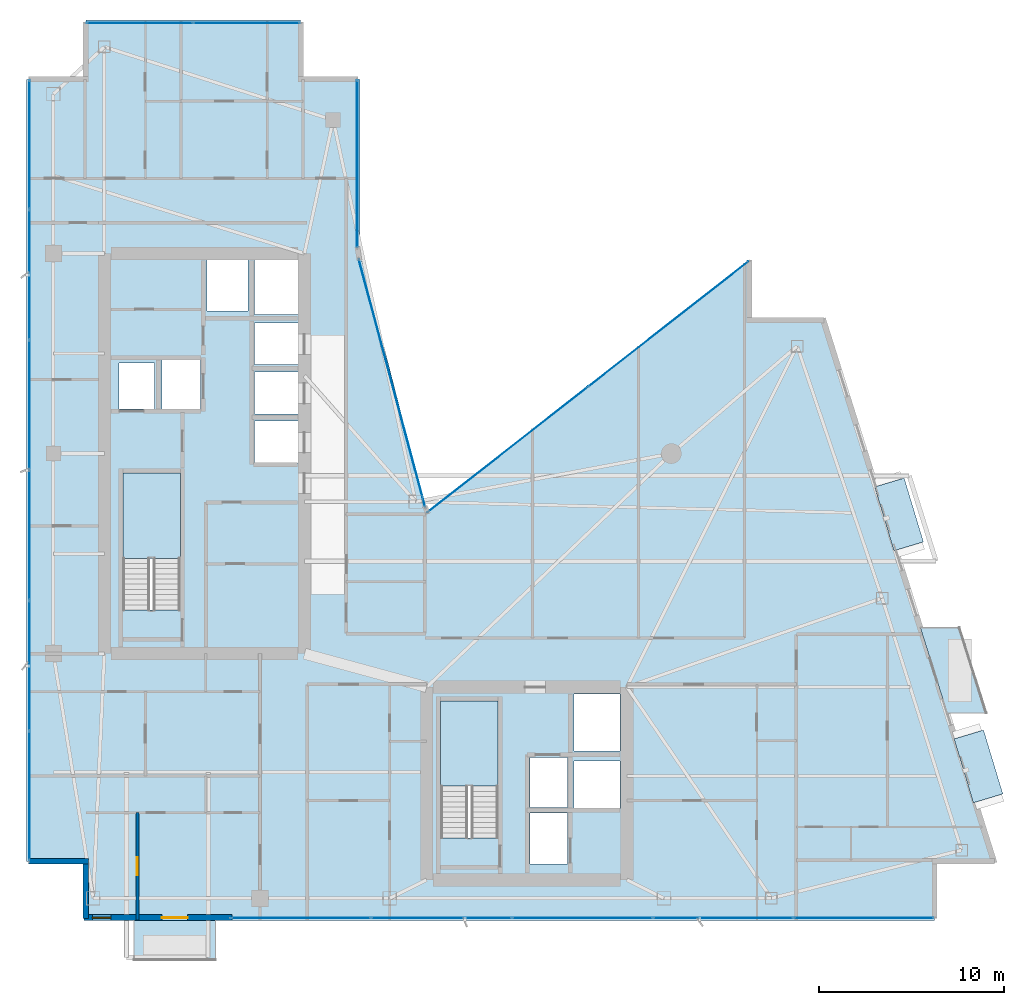
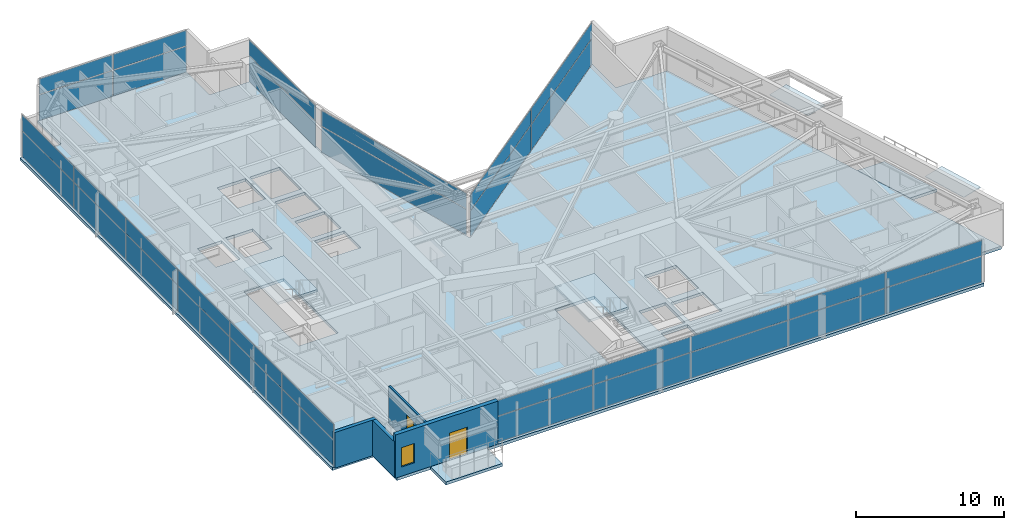
# One storey, part 23 of 30: 36 plates, 5 slabs, 4 walls, 2 doors, 1 window, 3 openings, 8 elements without a shape of their own.
"""IFC4 building model written with IfcOpenShell, lengths in metres."""

import ifcopenshell
import ifcopenshell.guid

model = None  # the IFC model being written
_history = None  # IfcOwnerHistory: only IFC2X3 demands one
_inside = {}  # id of a spatial element -> (the spatial element, [elements in it])
_under = {}  # id of a project, library or spatial element -> (it, [spatial elements below it])
_declared = {}  # id of a project -> (the project, [libraries it declares])
_typed = {}  # id of a type object -> (the type object, [elements of that type])
_made_of = {}  # id of a material, layer set ... -> (it, [elements and type objects made of it])


def new_model(schema):
    """Start an empty IFC model of exactly this schema.

    Asked for "IFC4X3", IfcOpenShell would pick the latest addendum, in which some entities
    have other attributes; the version numbers below select the first issue.
    IFC2X3 requires an IfcOwnerHistory on every rooted entity: one is made here for all.
    """
    global model, _history
    if schema == "IFC4X3":
        model = ifcopenshell.file(schema_version=(4, 3, 0, 0))
    else:
        model = ifcopenshell.file(schema=schema)
    _inside.clear()
    _under.clear()
    _declared.clear()
    _typed.clear()
    _made_of.clear()
    _history = None
    if model.schema == "IFC2X3":
        org = make("IfcOrganization", Name="unknown")
        user = make(
            "IfcPersonAndOrganization",
            ThePerson=make("IfcPerson", FamilyName="unknown"),
            TheOrganization=org,
        )
        app = make(
            "IfcApplication",
            ApplicationDeveloper=org,
            Version="unknown",
            ApplicationFullName="unknown",
            ApplicationIdentifier="unknown",
        )
        _history = make(
            "IfcOwnerHistory",
            OwningUser=user,
            OwningApplication=app,
            ChangeAction="ADDED",
            CreationDate=0,
        )
    return model


def make(cls, **values):
    """One entity of the class cls with the attributes given. An attribute that is None is left unset."""
    return model.create_entity(
        cls, **{name: value for name, value in values.items() if value is not None}
    )


def rooted(cls, **values):
    """An entity with a GlobalId (a new one), such as an element, a storey or a relation."""
    return make(cls, GlobalId=ifcopenshell.guid.new(), OwnerHistory=_history, **values)


def si_unit(unit_type, name, prefix=None):
    """IfcSIUnit, for example si_unit("LENGTHUNIT", "METRE", prefix="MILLI")."""
    return make("IfcSIUnit", UnitType=unit_type, Prefix=prefix, Name=name)


def assignment(units):
    """IfcUnitAssignment: the units of a project."""
    return None if units is None else make("IfcUnitAssignment", Units=units)


def point(xyz):
    """IfcCartesianPoint."""
    return None if xyz is None else make("IfcCartesianPoint", Coordinates=xyz)


def direction(xyz):
    """IfcDirection."""
    return None if xyz is None else make("IfcDirection", DirectionRatios=xyz)


def frame(location, z_axis=None, x_axis=None):
    """IfcAxis2Placement3D, a coordinate frame: its origin and axes. An axis left out is left unset."""
    return make(
        "IfcAxis2Placement3D",
        Location=point(location),
        Axis=direction(z_axis),
        RefDirection=direction(x_axis),
    )


def frame_2d(location, x_axis=None):
    """IfcAxis2Placement2D, a coordinate frame in the plane: its origin and x axis."""
    return make(
        "IfcAxis2Placement2D", Location=point(location), RefDirection=direction(x_axis)
    )


def origin():
    """The frame at (0, 0, 0) with its axes left unset."""
    return frame((0.0, 0.0, 0.0))


def origin_2d():
    """The frame at (0, 0) in the plane with its x axis left unset."""
    return frame_2d((0.0, 0.0))


def place(relative_to, where):
    """IfcLocalPlacement: puts the frame where relative to a parent placement (None: the world)."""
    return make(
        "IfcLocalPlacement", PlacementRelTo=relative_to, RelativePlacement=where
    )


def context(
    kind, dimensions, precision=None, world=None, true_north=None, identifier=None
):
    """IfcGeometricRepresentationContext, for example the 3D "Model" context."""
    return make(
        "IfcGeometricRepresentationContext",
        ContextIdentifier=identifier,
        ContextType=kind,
        CoordinateSpaceDimension=dimensions,
        Precision=precision,
        WorldCoordinateSystem=world,
        TrueNorth=true_north,
    )


def subcontext(parent, identifier, kind, view, scale=None):
    """IfcGeometricRepresentationSubContext, for example "Body" below "Model"."""
    return make(
        "IfcGeometricRepresentationSubContext",
        ContextIdentifier=identifier,
        ContextType=kind,
        ParentContext=parent,
        TargetScale=scale,
        TargetView=view,
    )


def project(units=None, contexts=None):
    """IfcProject with its units and contexts."""
    return rooted(
        "IfcProject",
        Name="project",
        RepresentationContexts=contexts,
        UnitsInContext=assignment(units),
    )


def spatial(cls, under=None, at=None, **own):
    """A site, building, storey or space (cls), placed at a placement, below another one or the project."""
    s = rooted(cls, ObjectPlacement=at, **own)
    if under is not None:
        _under.setdefault(under.id(), (under, []))[1].append(s)
    return s


def polyline(points):
    """IfcPolyline through the points."""
    return make("IfcPolyline", Points=[point(p) for p in points])


def profile(cls, at=None, kind="AREA", **sizes):
    """A parametric profile (cls). Its sizes go by their IFC names, for example OverallWidth=200.0."""
    return make(cls, ProfileType=kind, Position=at, **sizes)


def rectangle(**sizes):
    """IfcRectangleProfileDef."""
    return profile("IfcRectangleProfileDef", **sizes)


def outline(outer, holes=None, kind="AREA"):
    """IfcArbitraryClosedProfileDef: a profile drawn as a closed curve; with holes, ...WithVoids."""
    if holes is None:
        return make("IfcArbitraryClosedProfileDef", ProfileType=kind, OuterCurve=outer)
    return make(
        "IfcArbitraryProfileDefWithVoids",
        ProfileType=kind,
        OuterCurve=outer,
        InnerCurves=holes,
    )


def extrude(swept, where, along, depth):
    """IfcExtrudedAreaSolid: the profile swept, set in the frame where, extruded along a direction by depth."""
    return make(
        "IfcExtrudedAreaSolid",
        SweptArea=swept,
        Position=where,
        ExtrudedDirection=direction(along),
        Depth=depth,
    )


def shape(context_of_items, identifier, shape_type, items):
    """IfcShapeRepresentation: the items that make up one representation, for example the "Body"."""
    return make(
        "IfcShapeRepresentation",
        ContextOfItems=context_of_items,
        RepresentationIdentifier=identifier,
        RepresentationType=shape_type,
        Items=items,
    )


def material(Name=None, Category=None):
    """IfcMaterial."""
    return make("IfcMaterial", Name=Name, Category=Category)


def layer(
    of_material, thickness, ventilated=None, Name=None, Category=None, Priority=None
):
    """IfcMaterialLayer: one layer of a wall or slab, of a material (None: an air gap)."""
    return make(
        "IfcMaterialLayer",
        Material=of_material,
        LayerThickness=thickness,
        IsVentilated=ventilated,
        Name=Name,
        Category=Category,
        Priority=Priority,
    )


def layer_set(layers, Name=None):
    """IfcMaterialLayerSet."""
    return make("IfcMaterialLayerSet", MaterialLayers=layers, LayerSetName=Name)


def made_of(thing, what):
    """Note that an element or type object is made of a material, layer set ...; save() writes the relation."""
    if what is not None:
        _made_of.setdefault(what.id(), (what, []))[1].append(thing)
    return thing


def type_object(cls, material=None, **own):
    """A type object (cls), such as IfcWallType, which elements share."""
    return made_of(rooted(cls, **own), material)


def element(
    cls,
    number,
    at=None,
    inside=None,
    cuts=None,
    type_object=None,
    material=None,
    context=None,
    identifier="Body",
    shape_type=None,
    held_by="IfcProductDefinitionShape",
    body=None,
    shapes=None,
    **own,
):
    """One element of the class cls, such as IfcWall. Its Tag is "e" and its number.

    at: its placement. inside: the storey or other place that contains it. cuts: it is an
    opening in that element (IfcRelVoidsElement). A single representation is given by context,
    identifier, shape_type and body (its items); several are given by shapes. held_by: the class
    of the entity that holds the representations. save() writes the other relations.
    """
    e = rooted(cls, Tag="e%d" % number, ObjectPlacement=at, **own)
    if body is not None:
        shapes = [shape(context, identifier, shape_type, body)]
    if shapes is not None:
        e.Representation = make(held_by, Representations=shapes)
    if inside is not None:
        _inside.setdefault(inside.id(), (inside, []))[1].append(e)
    if cuts is not None:
        rooted(
            "IfcRelVoidsElement", RelatingBuildingElement=cuts, RelatedOpeningElement=e
        )
    if type_object is not None:
        _typed.setdefault(type_object.id(), (type_object, []))[1].append(e)
    return made_of(e, material)


def fill(opening, filler):
    """IfcRelFillsElement: the door or window that sits in an opening."""
    return rooted(
        "IfcRelFillsElement",
        RelatingOpeningElement=opening,
        RelatedBuildingElement=filler,
    )


def aggregate(whole, parts):
    """IfcRelAggregates: a whole, such as a stair, and the parts it consists of."""
    return rooted("IfcRelAggregates", RelatingObject=whole, RelatedObjects=parts)


def save(model, path):
    """Write the relations noted so far, then the file.

    IfcRelAggregates (storeys below a building ...), IfcRelContainedInSpatialStructure (elements
    in a storey), IfcRelDefinesByType, IfcRelAssociatesMaterial and IfcRelDeclares: one each for
    every whole, place, type object, material and project.
    """
    for whole, parts in _under.values():
        aggregate(whole, parts)
    for where, things in _inside.values():
        rooted(
            "IfcRelContainedInSpatialStructure",
            RelatedElements=things,
            RelatingStructure=where,
        )
    for kind, things in _typed.values():
        rooted("IfcRelDefinesByType", RelatedObjects=things, RelatingType=kind)
    for what, things in _made_of.values():
        rooted("IfcRelAssociatesMaterial", RelatedObjects=things, RelatingMaterial=what)
    for by, libraries in _declared.values():
        rooted("IfcRelDeclares", RelatingContext=by, RelatedDefinitions=libraries)
    model.write(path)


model = new_model("IFC4")

# Units and contexts
model_context = context("Model", 3, precision=1e-05, world=origin(), true_north=direction((0.0, 1.0)))
body_context = subcontext(model_context, "Body", "Model", "MODEL_VIEW")
ifc_project = project(units=[si_unit("LENGTHUNIT", "METRE"), si_unit("AREAUNIT", "SQUARE_METRE"), si_unit("VOLUMEUNIT", "CUBIC_METRE"), si_unit("PLANEANGLEUNIT", "RADIAN"), si_unit("MASSUNIT", "GRAM", prefix="KILO")], contexts=[model_context])

# Site, building, storey
site_placement = place(None, origin())
site = spatial("IfcSite", under=ifc_project, at=site_placement, CompositionType="ELEMENT")
building_placement = place(site_placement, origin())
building = spatial("IfcBuilding", under=site, at=building_placement, Name="Calvorn Quay Hotel", CompositionType="ELEMENT")
storey_placement = place(building_placement, frame((0.0, 0.0, 203.39990234375)))
storey = spatial("IfcBuildingStorey", under=building, at=storey_placement, Name="L50", CompositionType="ELEMENT", Elevation=203.39990234375)

# Curtain wall, plates
ifc_material_1 = material(Name="Champagne Bronze Anodised Aluminium and Low-E Glass", Category="aluminium")
ifc_layer_1 = layer(ifc_material_1, 0.219970703125)
ifc_layer_set_1 = layer_set([ifc_layer_1], Name="CW-SYS-Z3")
curtain_wall_type = type_object("IfcCurtainWallType", Name="CW-SYS-Z3", PredefinedType="NOTDEFINED", material=ifc_layer_set_1)
curtain_wall_1_placement = place(storey_placement, origin())
curtain_wall_1 = element("IfcCurtainWall", 1, at=curtain_wall_1_placement, inside=storey, type_object=curtain_wall_type, Name="Tower West Curtain Wall (L50)", PredefinedType="NOTDEFINED")
ifc_material_2 = material(Name="Low-E Laminated Double Glazing", Category="glass")
ifc_layer_2 = layer(ifc_material_2, 0.028076171875)
ifc_layer_set_2 = layer_set([ifc_layer_2], Name="CW-SYS-Z3-PAN")
plate_type_1 = type_object("IfcPlateType", Name="CW-SYS-Z3-PAN", PredefinedType="CURTAIN_PANEL", material=ifc_layer_set_2)
plate_1_placement = place(storey_placement, frame((0.14990234375, 9.131591796875, 0.06005859375), z_axis=(0.0, 0.0, 1.0), x_axis=(0.0, 1.0, 0.0)))
plate_1 = element("IfcPlate", 2, at=plate_1_placement, type_object=plate_type_1, Name="CW-L50-W panel 1.1", PredefinedType="CURTAIN_PANEL", context=body_context, shape_type="SweptSolid", body=[
    extrude(rectangle(XDim=6.943359375, YDim=0.028076171875, at=origin_2d()), origin(), (0.0, 0.0, 1.0), 2.110107421875),
])
plate_2_placement = place(storey_placement, frame((0.14990234375, 9.131591796875, 2.22998046875), z_axis=(0.0, 0.0, 1.0), x_axis=(0.0, 1.0, 0.0)))
plate_2 = element("IfcPlate", 3, at=plate_2_placement, type_object=plate_type_1, Name="CW-L50-W panel 1.2", PredefinedType="CURTAIN_PANEL", context=body_context, shape_type="SweptSolid", body=[
    extrude(rectangle(XDim=6.943359375, YDim=0.028076171875, at=origin_2d()), origin(), (0.0, 0.0, 1.0), 1.27001953125),
])
plate_3_placement = place(storey_placement, frame((0.14990234375, 16.14990234375, 0.06005859375), z_axis=(0.0, 0.0, 1.0), x_axis=(0.0, 1.0, 0.0)))
plate_3 = element("IfcPlate", 4, at=plate_3_placement, type_object=plate_type_1, Name="CW-L50-W panel 2.1", PredefinedType="CURTAIN_PANEL", context=body_context, shape_type="SweptSolid", body=[
    extrude(rectangle(XDim=6.973388671875, YDim=0.028076171875, at=origin_2d()), origin(), (0.0, 0.0, 1.0), 2.110107421875),
])
plate_4_placement = place(storey_placement, frame((0.14990234375, 16.14990234375, 2.22998046875), z_axis=(0.0, 0.0, 1.0), x_axis=(0.0, 1.0, 0.0)))
plate_4 = element("IfcPlate", 5, at=plate_4_placement, type_object=plate_type_1, Name="CW-L50-W panel 2.2", PredefinedType="CURTAIN_PANEL", context=body_context, shape_type="SweptSolid", body=[
    extrude(rectangle(XDim=6.973388671875, YDim=0.028076171875, at=origin_2d()), origin(), (0.0, 0.0, 1.0), 1.27001953125),
])
plate_5_placement = place(storey_placement, frame((0.14990234375, 23.183349609375, 0.06005859375), z_axis=(0.0, 0.0, 1.0), x_axis=(0.0, 1.0, 0.0)))
plate_5 = element("IfcPlate", 6, at=plate_5_placement, type_object=plate_type_1, Name="CW-L50-W panel 3.1", PredefinedType="CURTAIN_PANEL", context=body_context, shape_type="SweptSolid", body=[
    extrude(rectangle(XDim=6.973388671875, YDim=0.028076171875, at=origin_2d()), origin(), (0.0, 0.0, 1.0), 2.110107421875),
])
plate_6_placement = place(storey_placement, frame((0.14990234375, 23.183349609375, 2.22998046875), z_axis=(0.0, 0.0, 1.0), x_axis=(0.0, 1.0, 0.0)))
plate_6 = element("IfcPlate", 7, at=plate_6_placement, type_object=plate_type_1, Name="CW-L50-W panel 3.2", PredefinedType="CURTAIN_PANEL", context=body_context, shape_type="SweptSolid", body=[
    extrude(rectangle(XDim=6.973388671875, YDim=0.028076171875, at=origin_2d()), origin(), (0.0, 0.0, 1.0), 1.27001953125),
])
plate_7_placement = place(storey_placement, frame((0.14990234375, 30.216552734375, 0.06005859375), z_axis=(0.0, 0.0, 1.0), x_axis=(0.0, 1.0, 0.0)))
plate_7 = element("IfcPlate", 8, at=plate_7_placement, type_object=plate_type_1, Name="CW-L50-W panel 4.1", PredefinedType="CURTAIN_PANEL", context=body_context, shape_type="SweptSolid", body=[
    extrude(rectangle(XDim=6.973388671875, YDim=0.028076171875, at=origin_2d()), origin(), (0.0, 0.0, 1.0), 2.110107421875),
])
plate_8_placement = place(storey_placement, frame((0.14990234375, 30.216552734375, 2.22998046875), z_axis=(0.0, 0.0, 1.0), x_axis=(0.0, 1.0, 0.0)))
plate_8 = element("IfcPlate", 9, at=plate_8_placement, type_object=plate_type_1, Name="CW-L50-W panel 4.2", PredefinedType="CURTAIN_PANEL", context=body_context, shape_type="SweptSolid", body=[
    extrude(rectangle(XDim=6.973388671875, YDim=0.028076171875, at=origin_2d()), origin(), (0.0, 0.0, 1.0), 1.27001953125),
])
plate_9_placement = place(storey_placement, frame((0.14990234375, 37.25, 0.06005859375), z_axis=(0.0, 0.0, 1.0), x_axis=(0.0, 1.0, 0.0)))
plate_9 = element("IfcPlate", 10, at=plate_9_placement, type_object=plate_type_1, Name="CW-L50-W panel 5.1", PredefinedType="CURTAIN_PANEL", context=body_context, shape_type="SweptSolid", body=[
    extrude(rectangle(XDim=6.973388671875, YDim=0.028076171875, at=origin_2d()), origin(), (0.0, 0.0, 1.0), 2.110107421875),
])
plate_10_placement = place(storey_placement, frame((0.14990234375, 37.25, 2.22998046875), z_axis=(0.0, 0.0, 1.0), x_axis=(0.0, 1.0, 0.0)))
plate_10 = element("IfcPlate", 11, at=plate_10_placement, type_object=plate_type_1, Name="CW-L50-W panel 5.2", PredefinedType="CURTAIN_PANEL", context=body_context, shape_type="SweptSolid", body=[
    extrude(rectangle(XDim=6.973388671875, YDim=0.028076171875, at=origin_2d()), origin(), (0.0, 0.0, 1.0), 1.27001953125),
])
plate_11_placement = place(storey_placement, frame((0.14990234375, 44.268310546875, 0.06005859375), z_axis=(0.0, 0.0, 1.0), x_axis=(0.0, 1.0, 0.0)))
plate_11 = element("IfcPlate", 12, at=plate_11_placement, type_object=plate_type_1, Name="CW-L50-W panel 6.1", PredefinedType="CURTAIN_PANEL", context=body_context, shape_type="SweptSolid", body=[
    extrude(rectangle(XDim=6.943359375, YDim=0.028076171875, at=origin_2d()), origin(), (0.0, 0.0, 1.0), 2.110107421875),
])
plate_12_placement = place(storey_placement, frame((0.14990234375, 44.268310546875, 2.22998046875), z_axis=(0.0, 0.0, 1.0), x_axis=(0.0, 1.0, 0.0)))
plate_12 = element("IfcPlate", 13, at=plate_12_placement, type_object=plate_type_1, Name="CW-L50-W panel 6.2", PredefinedType="CURTAIN_PANEL", context=body_context, shape_type="SweptSolid", body=[
    extrude(rectangle(XDim=6.943359375, YDim=0.028076171875, at=origin_2d()), origin(), (0.0, 0.0, 1.0), 1.27001953125),
])
aggregate(curtain_wall_1, [plate_1, plate_2, plate_3, plate_4, plate_5, plate_6, plate_7, plate_8, plate_9, plate_10, plate_11, plate_12])

curtain_wall_2_placement = place(storey_placement, origin())
curtain_wall_2 = element("IfcCurtainWall", 14, at=curtain_wall_2_placement, inside=storey, type_object=curtain_wall_type, Name="Tower South Waterfront Curtain Wall (L50)", PredefinedType="NOTDEFINED")
plate_13_placement = place(storey_placement, frame((14.81494140625, 2.550048828125, 0.06005859375), z_axis=(0.0, 0.0, 1.0), x_axis=(1.0, 0.0, 0.0)))
plate_13 = element("IfcPlate", 15, at=plate_13_placement, type_object=plate_type_1, Name="CW-L50-S panel 1.1", PredefinedType="CURTAIN_PANEL", context=body_context, shape_type="SweptSolid", body=[
    extrude(rectangle(XDim=7.510009765625, YDim=0.028076171875, at=origin_2d()), origin(), (0.0, 0.0, 1.0), 2.110107421875),
])
plate_14_placement = place(storey_placement, frame((14.81494140625, 2.550048828125, 2.22998046875), z_axis=(0.0, 0.0, 1.0), x_axis=(1.0, 0.0, 0.0)))
plate_14 = element("IfcPlate", 16, at=plate_14_placement, type_object=plate_type_1, Name="CW-L50-S panel 1.2", PredefinedType="CURTAIN_PANEL", context=body_context, shape_type="SweptSolid", body=[
    extrude(rectangle(XDim=7.510009765625, YDim=0.028076171875, at=origin_2d()), origin(), (0.0, 0.0, 1.0), 1.27001953125),
])
plate_15_placement = place(storey_placement, frame((22.39990234375, 2.550048828125, 0.06005859375), z_axis=(0.0, 0.0, 1.0), x_axis=(1.0, 0.0, 0.0)))
plate_15 = element("IfcPlate", 17, at=plate_15_placement, type_object=plate_type_1, Name="CW-L50-S panel 2.1", PredefinedType="CURTAIN_PANEL", context=body_context, shape_type="SweptSolid", body=[
    extrude(rectangle(XDim=7.5400390625, YDim=0.028076171875, at=origin_2d()), origin(), (0.0, 0.0, 1.0), 2.110107421875),
])
plate_16_placement = place(storey_placement, frame((22.39990234375, 2.550048828125, 2.22998046875), z_axis=(0.0, 0.0, 1.0), x_axis=(1.0, 0.0, 0.0)))
plate_16 = element("IfcPlate", 18, at=plate_16_placement, type_object=plate_type_1, Name="CW-L50-S panel 2.2", PredefinedType="CURTAIN_PANEL", context=body_context, shape_type="SweptSolid", body=[
    extrude(rectangle(XDim=7.5400390625, YDim=0.028076171875, at=origin_2d()), origin(), (0.0, 0.0, 1.0), 1.27001953125),
])
plate_17_placement = place(storey_placement, frame((30.0, 2.550048828125, 0.06005859375), z_axis=(0.0, 0.0, 1.0), x_axis=(1.0, 0.0, 0.0)))
plate_17 = element("IfcPlate", 19, at=plate_17_placement, type_object=plate_type_1, Name="CW-L50-S panel 3.1", PredefinedType="CURTAIN_PANEL", context=body_context, shape_type="SweptSolid", body=[
    extrude(rectangle(XDim=7.5400390625, YDim=0.028076171875, at=origin_2d()), origin(), (0.0, 0.0, 1.0), 2.110107421875),
])
plate_18_placement = place(storey_placement, frame((30.0, 2.550048828125, 2.22998046875), z_axis=(0.0, 0.0, 1.0), x_axis=(1.0, 0.0, 0.0)))
plate_18 = element("IfcPlate", 20, at=plate_18_placement, type_object=plate_type_1, Name="CW-L50-S panel 3.2", PredefinedType="CURTAIN_PANEL", context=body_context, shape_type="SweptSolid", body=[
    extrude(rectangle(XDim=7.5400390625, YDim=0.028076171875, at=origin_2d()), origin(), (0.0, 0.0, 1.0), 1.27001953125),
])
plate_19_placement = place(storey_placement, frame((37.60009765625, 2.550048828125, 0.06005859375), z_axis=(0.0, 0.0, 1.0), x_axis=(1.0, 0.0, 0.0)))
plate_19 = element("IfcPlate", 21, at=plate_19_placement, type_object=plate_type_1, Name="CW-L50-S panel 4.1", PredefinedType="CURTAIN_PANEL", context=body_context, shape_type="SweptSolid", body=[
    extrude(rectangle(XDim=7.5400390625, YDim=0.028076171875, at=origin_2d()), origin(), (0.0, 0.0, 1.0), 2.110107421875),
])
plate_20_placement = place(storey_placement, frame((37.60009765625, 2.550048828125, 2.22998046875), z_axis=(0.0, 0.0, 1.0), x_axis=(1.0, 0.0, 0.0)))
plate_20 = element("IfcPlate", 22, at=plate_20_placement, type_object=plate_type_1, Name="CW-L50-S panel 4.2", PredefinedType="CURTAIN_PANEL", context=body_context, shape_type="SweptSolid", body=[
    extrude(rectangle(XDim=7.5400390625, YDim=0.028076171875, at=origin_2d()), origin(), (0.0, 0.0, 1.0), 1.27001953125),
])
plate_21_placement = place(storey_placement, frame((45.18505859375, 2.550048828125, 0.06005859375), z_axis=(0.0, 0.0, 1.0), x_axis=(1.0, 0.0, 0.0)))
plate_21 = element("IfcPlate", 23, at=plate_21_placement, type_object=plate_type_1, Name="CW-L50-S panel 5.1", PredefinedType="CURTAIN_PANEL", context=body_context, shape_type="SweptSolid", body=[
    extrude(rectangle(XDim=7.510009765625, YDim=0.028076171875, at=origin_2d()), origin(), (0.0, 0.0, 1.0), 2.110107421875),
])
plate_22_placement = place(storey_placement, frame((45.18505859375, 2.550048828125, 2.22998046875), z_axis=(0.0, 0.0, 1.0), x_axis=(1.0, 0.0, 0.0)))
plate_22 = element("IfcPlate", 24, at=plate_22_placement, type_object=plate_type_1, Name="CW-L50-S panel 5.2", PredefinedType="CURTAIN_PANEL", context=body_context, shape_type="SweptSolid", body=[
    extrude(rectangle(XDim=7.510009765625, YDim=0.028076171875, at=origin_2d()), origin(), (0.0, 0.0, 1.0), 1.27001953125),
])
aggregate(curtain_wall_2, [plate_13, plate_14, plate_15, plate_16, plate_17, plate_18, plate_19, plate_20, plate_21, plate_22])

curtain_wall_3_placement = place(storey_placement, origin())
curtain_wall_3 = element("IfcCurtainWall", 25, at=curtain_wall_3_placement, inside=storey, type_object=curtain_wall_type, Name="Inner Court Curtain Wall L50-NE1", PredefinedType="NOTDEFINED")
plate_23_placement = place(storey_placement, frame((34.63818359375, 34.5908203125, 0.06005859375), z_axis=(0.0, 0.0, 1.0), x_axis=(-0.787887056174, -0.615819768044, 0.0)))
plate_23 = element("IfcPlate", 26, at=plate_23_placement, type_object=plate_type_1, Name="CW-L50-NE1 panel 1.1", PredefinedType="CURTAIN_PANEL", context=body_context, shape_type="SweptSolid", body=[
    extrude(rectangle(XDim=10.9521484375, YDim=0.028076171875, at=origin_2d()), origin(), (0.0, 0.0, 1.0), 2.110107421875),
])
plate_24_placement = place(storey_placement, frame((34.63818359375, 34.5908203125, 2.22998046875), z_axis=(0.0, 0.0, 1.0), x_axis=(-0.787887056174, -0.615819768044, 0.0)))
plate_24 = element("IfcPlate", 27, at=plate_24_placement, type_object=plate_type_1, Name="CW-L50-NE1 panel 1.2", PredefinedType="CURTAIN_PANEL", context=body_context, shape_type="SweptSolid", body=[
    extrude(rectangle(XDim=10.9521484375, YDim=0.028076171875, at=origin_2d()), origin(), (0.0, 0.0, 1.0), 1.27001953125),
])
plate_25_placement = place(storey_placement, frame((25.9619140625, 27.809326171875, 0.06005859375), z_axis=(0.0, 0.0, 1.0), x_axis=(-0.787887056174, -0.615819768044, 0.0)))
plate_25 = element("IfcPlate", 28, at=plate_25_placement, type_object=plate_type_1, Name="CW-L50-NE1 panel 2.1", PredefinedType="CURTAIN_PANEL", context=body_context, shape_type="SweptSolid", body=[
    extrude(rectangle(XDim=10.9521484375, YDim=0.028076171875, at=origin_2d()), origin(), (0.0, 0.0, 1.0), 2.110107421875),
])
plate_26_placement = place(storey_placement, frame((25.9619140625, 27.809326171875, 2.22998046875), z_axis=(0.0, 0.0, 1.0), x_axis=(-0.787887056174, -0.615819768044, 0.0)))
plate_26 = element("IfcPlate", 29, at=plate_26_placement, type_object=plate_type_1, Name="CW-L50-NE1 panel 2.2", PredefinedType="CURTAIN_PANEL", context=body_context, shape_type="SweptSolid", body=[
    extrude(rectangle(XDim=10.9521484375, YDim=0.028076171875, at=origin_2d()), origin(), (0.0, 0.0, 1.0), 1.27001953125),
])
aggregate(curtain_wall_3, [plate_23, plate_24, plate_25, plate_26])

curtain_wall_4_placement = place(storey_placement, origin())
curtain_wall_4 = element("IfcCurtainWall", 30, at=curtain_wall_4_placement, inside=storey, type_object=curtain_wall_type, Name="Inner Court Curtain Wall L50-IC1", PredefinedType="NOTDEFINED")
plate_27_placement = place(storey_placement, frame((19.72509765625, 31.39990234375, 0.06005859375), z_axis=(0.0, 0.0, 1.0), x_axis=(-0.25877913024, 0.96593652056, 0.0)))
plate_27 = element("IfcPlate", 31, at=plate_27_placement, type_object=plate_type_1, Name="CW-L50-IC1 panel 1.1", PredefinedType="CURTAIN_PANEL", context=body_context, shape_type="SweptSolid", body=[
    extrude(rectangle(XDim=13.814697265625, YDim=0.028076171875, at=origin_2d()), origin(), (0.0, 0.0, 1.0), 2.110107421875),
])
plate_28_placement = place(storey_placement, frame((19.72509765625, 31.39990234375, 2.22998046875), z_axis=(0.0, 0.0, 1.0), x_axis=(-0.25877913024, 0.96593652056, 0.0)))
plate_28 = element("IfcPlate", 32, at=plate_28_placement, type_object=plate_type_1, Name="CW-L50-IC1 panel 1.2", PredefinedType="CURTAIN_PANEL", context=body_context, shape_type="SweptSolid", body=[
    extrude(rectangle(XDim=13.814697265625, YDim=0.028076171875, at=origin_2d()), origin(), (0.0, 0.0, 1.0), 1.27001953125),
])
aggregate(curtain_wall_4, [plate_27, plate_28])

curtain_wall_5_placement = place(storey_placement, origin())
curtain_wall_5 = element("IfcCurtainWall", 33, at=curtain_wall_5_placement, inside=storey, type_object=curtain_wall_type, Name="Inner Court Curtain Wall L50-IC2", PredefinedType="NOTDEFINED")
plate_29_placement = place(storey_placement, frame((17.85009765625, 43.239990234375, 0.06005859375), z_axis=(0.0, 0.0, 1.0), x_axis=(0.0, 1.0, 0.0)))
plate_29 = element("IfcPlate", 34, at=plate_29_placement, type_object=plate_type_1, Name="CW-L50-IC2 panel 1.1", PredefinedType="CURTAIN_PANEL", context=body_context, shape_type="SweptSolid", body=[
    extrude(rectangle(XDim=9.0, YDim=0.028076171875, at=origin_2d()), origin(), (0.0, 0.0, 1.0), 2.110107421875),
])
plate_30_placement = place(storey_placement, frame((17.85009765625, 43.239990234375, 2.22998046875), z_axis=(0.0, 0.0, 1.0), x_axis=(0.0, 1.0, 0.0)))
plate_30 = element("IfcPlate", 35, at=plate_30_placement, type_object=plate_type_1, Name="CW-L50-IC2 panel 1.2", PredefinedType="CURTAIN_PANEL", context=body_context, shape_type="SweptSolid", body=[
    extrude(rectangle(XDim=9.0, YDim=0.028076171875, at=origin_2d()), origin(), (0.0, 0.0, 1.0), 1.27001953125),
])
aggregate(curtain_wall_5, [plate_29, plate_30])

curtain_wall_6_placement = place(storey_placement, origin())
curtain_wall_6 = element("IfcCurtainWall", 36, at=curtain_wall_6_placement, inside=storey, type_object=curtain_wall_type, Name="Inner Court Curtain Wall L50-N1", PredefinedType="NOTDEFINED")
plate_31_placement = place(storey_placement, frame((11.885009765625, 50.85009765625, 0.06005859375), z_axis=(0.0, 0.0, 1.0), x_axis=(-1.0, 0.0, 0.0)))
plate_31 = element("IfcPlate", 37, at=plate_31_placement, type_object=plate_type_1, Name="CW-L50-N1 panel 1.1", PredefinedType="CURTAIN_PANEL", context=body_context, shape_type="SweptSolid", body=[
    extrude(rectangle(XDim=5.7099609375, YDim=0.028076171875, at=origin_2d()), origin(), (0.0, 0.0, 1.0), 2.110107421875),
])
plate_32_placement = place(storey_placement, frame((11.885009765625, 50.85009765625, 2.22998046875), z_axis=(0.0, 0.0, 1.0), x_axis=(-1.0, 0.0, 0.0)))
plate_32 = element("IfcPlate", 38, at=plate_32_placement, type_object=plate_type_1, Name="CW-L50-N1 panel 1.2", PredefinedType="CURTAIN_PANEL", context=body_context, shape_type="SweptSolid", body=[
    extrude(rectangle(XDim=5.7099609375, YDim=0.028076171875, at=origin_2d()), origin(), (0.0, 0.0, 1.0), 1.27001953125),
])
plate_33_placement = place(storey_placement, frame((6.114990234375, 50.85009765625, 0.06005859375), z_axis=(0.0, 0.0, 1.0), x_axis=(-1.0, 0.0, 0.0)))
plate_33 = element("IfcPlate", 39, at=plate_33_placement, type_object=plate_type_1, Name="CW-L50-N1 panel 2.1", PredefinedType="CURTAIN_PANEL", context=body_context, shape_type="SweptSolid", body=[
    extrude(rectangle(XDim=5.7099609375, YDim=0.028076171875, at=origin_2d()), origin(), (0.0, 0.0, 1.0), 2.110107421875),
])
plate_34_placement = place(storey_placement, frame((6.114990234375, 50.85009765625, 2.22998046875), z_axis=(0.0, 0.0, 1.0), x_axis=(-1.0, 0.0, 0.0)))
plate_34 = element("IfcPlate", 40, at=plate_34_placement, type_object=plate_type_1, Name="CW-L50-N1 panel 2.2", PredefinedType="CURTAIN_PANEL", context=body_context, shape_type="SweptSolid", body=[
    extrude(rectangle(XDim=5.7099609375, YDim=0.028076171875, at=origin_2d()), origin(), (0.0, 0.0, 1.0), 1.27001953125),
])
aggregate(curtain_wall_6, [plate_31, plate_32, plate_33, plate_34])

# Plates
ifc_material_3 = material(Name="Tempered Laminated Low-E Glass", Category="glass")
ifc_layer_3 = layer(ifc_material_3, 0.0380859375)
ifc_layer_set_3 = layer_set([ifc_layer_3], Name="PLT-HOOD-GLAZ")
plate_type_2 = type_object("IfcPlateType", Name="PLT-HOOD-GLAZ", PredefinedType="SHEET", material=ifc_layer_set_3)
for number, where, z_axis, x_axis, name in (
    (41, (51.3740234375, 10.718017578125, 2.467041015625), (0.0, 0.0, 1.0), (0.957319497532, 0.289031796944, 0.0), "Angled Glass Bay Hood Panel L50-HOOD-1"),
    (42, (47.089111328125, 24.318115234375, 2.467041015625), (0.0, 0.0, 1.0), (0.957319497532, 0.289031796944, 0.0), "Angled Glass Bay Hood Panel L50-HOOD-3"),
):
    element("IfcPlate", number, at=place(storey_placement, frame(where, z_axis=z_axis, x_axis=x_axis)), inside=storey, type_object=plate_type_2, Name=name, PredefinedType="SHEET", context=body_context, shape_type="SweptSolid", body=[
        extrude(rectangle(XDim=1.659912109375, YDim=3.60009765625, at=origin_2d()), origin(), (0.0, 0.0, 1.0), 0.0380859375),
    ])

# Slabs
ifc_material_4 = material(Name="Concrete C40", Category="concrete")
ifc_layer_4 = layer(ifc_material_4, 0.239990234375)
ifc_layer_set_4 = layer_set([ifc_layer_4], Name="SLB-BALCONY-220")
slab_type_1 = type_object("IfcSlabType", Name="SLB-BALCONY-220", PredefinedType="FLOOR", material=ifc_layer_set_4)
slab_1_placement = place(storey_placement, frame((0.0, 0.0, -0.239990234375)))
element("IfcSlab", 43, at=slab_1_placement, inside=storey, type_object=slab_type_1, Name="Tree Balcony Slab L50-BALC-E", PredefinedType="FLOOR", context=body_context, shape_type="SweptSolid", body=[
    extrude(outline(polyline([(49.68896484375, 13.60009765625), (51.7890625, 13.60009765625), (50.340087890625, 18.199951171875), (48.239990234375, 18.199951171875), (49.68896484375, 13.60009765625)])), origin(), (0.0, 0.0, 1.0), 0.239990234375),
])
slab_2_placement = place(storey_placement, frame((0.0, 0.0, -0.239990234375)))
element("IfcSlab", 44, at=slab_2_placement, inside=storey, type_object=slab_type_1, Name="Tree Balcony Slab L50-BALC-S", PredefinedType="FLOOR", context=body_context, shape_type="SweptSolid", body=[
    extrude(outline(polyline([(5.800048828125, 0.2900390625), (10.199951171875, 0.2900390625), (10.199951171875, 2.389892578125), (5.800048828125, 2.389892578125), (5.800048828125, 0.2900390625)])), origin(), (0.0, 0.0, 1.0), 0.239990234375),
])

# Stair, slab
ifc_material_5 = material(Name="Concrete C40", Category="concrete")
stair_type = type_object("IfcStairType", Name="STR-CORE-DOGLEG", PredefinedType="HALF_TURN_STAIR", material=ifc_material_5)
stair_1_placement = place(storey_placement, origin())
stair_1 = element("IfcStair", 45, at=stair_1_placement, inside=storey, type_object=stair_type, Name="L50 ST-W", PredefinedType="HALF_TURN_STAIR")
ifc_material_6 = material(Name="Concrete C40", Category="concrete")
ifc_layer_5 = layer(ifc_material_6, 0.199951171875)
ifc_layer_set_5 = layer_set([ifc_layer_5], Name="SLB-STAIR-LANDING-200")
slab_type_2 = type_object("IfcSlabType", Name="SLB-STAIR-LANDING-200", PredefinedType="LANDING", material=ifc_layer_set_5)
slab_3_placement = place(storey_placement, frame((0.0, 0.0, 1.7001953125)))
slab_3 = element("IfcSlab", 46, at=slab_3_placement, type_object=slab_type_2, Name="ST-W landing 1", PredefinedType="LANDING", context=body_context, shape_type="SweptSolid", body=[
    extrude(outline(polyline([(8.300048828125, 21.949951171875), (8.300048828125, 26.550048828125), (5.199951171875, 26.550048828125), (5.199951171875, 21.949951171875), (8.300048828125, 21.949951171875)])), origin(), (0.0, 0.0, 1.0), 0.199951171875),
])
aggregate(stair_1, [slab_3])

stair_2_placement = place(storey_placement, origin())
stair_2 = element("IfcStair", 47, at=stair_2_placement, inside=storey, type_object=stair_type, Name="L50 ST-E", PredefinedType="HALF_TURN_STAIR")
slab_4_placement = place(storey_placement, frame((0.0, 0.0, 1.7001953125)))
slab_4 = element("IfcSlab", 48, at=slab_4_placement, type_object=slab_type_2, Name="ST-E landing 1", PredefinedType="LANDING", context=body_context, shape_type="SweptSolid", body=[
    extrude(outline(polyline([(25.449951171875, 9.64990234375), (25.449951171875, 14.25), (22.35009765625, 14.25), (22.35009765625, 9.64990234375), (25.449951171875, 9.64990234375)])), origin(), (0.0, 0.0, 1.0), 0.199951171875),
])
aggregate(stair_2, [slab_4])

# Slab
ifc_material_7 = material(Name="Concrete C40", Category="concrete")
ifc_layer_6 = layer(ifc_material_7, 0.239990234375)
ifc_layer_set_6 = layer_set([ifc_layer_6], Name="SLB-TOWER-240")
slab_type_3 = type_object("IfcSlabType", Name="SLB-TOWER-240", PredefinedType="FLOOR", material=ifc_layer_set_6)
slab_5_placement = place(storey_placement, frame((0.0, 0.0, -0.239990234375)))
element("IfcSlab", 49, at=slab_5_placement, inside=storey, type_object=slab_type_3, Name="L50 Structural Floor Slab", PredefinedType="FLOOR", context=body_context, shape_type="SweptSolid", body=[
    extrude(outline(polyline([(0.0, 5.60009765625), (3.199951171875, 5.60009765625), (3.199951171875, 2.39990234375), (49.0, 2.39990234375), (49.0, 5.60009765625), (52.199951171875, 5.60009765625), (43.0, 34.800048828125), (39.0, 34.800048828125), (39.0, 38.0), (21.60009765625, 24.39990234375), (18.0, 38.39990234375), (18.0, 47.800048828125), (14.800048828125, 47.800048828125), (14.800048828125, 51.0), (3.199951171875, 51.0), (3.199951171875, 47.800048828125), (0.0, 47.800048828125), (0.0, 5.60009765625)]), holes=[polyline([(5.199951171875, 19.156005859375), (8.300048828125, 19.156005859375), (8.300048828125, 26.550048828125), (5.199951171875, 26.550048828125), (5.199951171875, 19.156005859375)]), polyline([(22.35009765625, 6.85595703125), (25.449951171875, 6.85595703125), (25.449951171875, 14.25), (22.35009765625, 14.25), (22.35009765625, 6.85595703125)]), polyline([(5.0, 30.0), (6.89990234375, 30.0), (6.89990234375, 32.5), (5.0, 32.5), (5.0, 30.0)]), polyline([(7.300048828125, 30.0), (9.39990234375, 30.0), (9.39990234375, 32.64990234375), (7.300048828125, 32.64990234375), (7.300048828125, 30.0)]), polyline([(27.159912109375, 8.5), (29.2099609375, 8.5), (29.2099609375, 11.199951171875), (27.159912109375, 11.199951171875), (27.159912109375, 8.5)]), polyline([(27.159912109375, 5.449951171875), (29.2099609375, 5.449951171875), (29.2099609375, 8.199951171875), (27.159912109375, 8.199951171875), (27.159912109375, 5.449951171875)]), polyline([(12.300048828125, 27.10009765625), (14.639892578125, 27.10009765625), (14.639892578125, 29.35009765625), (12.300048828125, 29.35009765625), (12.300048828125, 27.10009765625)]), polyline([(12.300048828125, 29.75), (14.639892578125, 29.75), (14.639892578125, 32.0), (12.300048828125, 32.0), (12.300048828125, 29.75)]), polyline([(12.300048828125, 32.39990234375), (14.639892578125, 32.39990234375), (14.639892578125, 34.64990234375), (12.300048828125, 34.64990234375), (12.300048828125, 32.39990234375)]), polyline([(12.300048828125, 35.10009765625), (14.639892578125, 35.10009765625), (14.639892578125, 38.0400390625), (12.300048828125, 38.0400390625), (12.300048828125, 35.10009765625)]), polyline([(9.75, 35.300048828125), (11.949951171875, 35.300048828125), (11.949951171875, 38.0400390625), (9.75, 38.0400390625), (9.75, 35.300048828125)]), polyline([(29.550048828125, 11.550048828125), (32.0400390625, 11.550048828125), (32.0400390625, 14.639892578125), (29.550048828125, 14.639892578125), (29.550048828125, 11.550048828125)]), polyline([(29.550048828125, 8.449951171875), (32.0400390625, 8.449951171875), (32.0400390625, 11.0), (29.550048828125, 11.0), (29.550048828125, 8.449951171875)])]), origin(), (0.0, 0.0, 1.0), 0.239990234375),
])

# Wall, openings, door, window
ifc_material_8 = material(Name="Concrete C40", Category="concrete")
ifc_layer_7 = layer(ifc_material_8, 0.320068359375)
ifc_layer_set_7 = layer_set([ifc_layer_7], Name="WL-EXT-SPANDREL-320")
wall_type_1 = type_object("IfcWallType", Name="WL-EXT-SPANDREL-320", PredefinedType="SOLIDWALL", material=ifc_layer_set_7)
wall_1_placement = place(storey_placement, frame((3.10009765625, 2.56005859375, 0.0), z_axis=(0.0, 0.0, 1.0), x_axis=(1.0, 0.0, 0.0)))
wall_1 = element("IfcWall", 50, at=wall_1_placement, inside=storey, type_object=wall_type_1, Name="South Balcony Exterior Wall (L50)", PredefinedType="SOLIDWALL", context=body_context, shape_type="SweptSolid", body=[
    extrude(rectangle(XDim=8.0, YDim=0.320068359375, at=frame_2d((4.0, 0.0))), origin(), (0.0, 0.0, 1.0), 3.56005859375),
])
opening_1_placement = place(wall_1_placement, frame((0.449951171875, 0.0, 0.75)))
opening_1 = element("IfcOpeningElement", 51, at=opening_1_placement, cuts=wall_1, Name="Opening WSB-L50-1", PredefinedType="OPENING", context=body_context, shape_type="SweptSolid", body=[
    extrude(rectangle(XDim=1.0, YDim=1.60009765625, at=frame_2d((0.5, 0.800048828125))), frame((0.0, 0.169921875, 0.0), z_axis=(0.0, -1.0, 0.0), x_axis=(1.0, 0.0, 0.0)), (0.0, 0.0, 1.0), 0.340087890625),
])
opening_2_placement = place(wall_1_placement, frame((4.199951171875, 0.0, 0.0)))
opening_2 = element("IfcOpeningElement", 52, at=opening_2_placement, cuts=wall_1, Name="Opening DB-L50-2", PredefinedType="OPENING", context=body_context, shape_type="SweptSolid", body=[
    extrude(rectangle(XDim=1.39990234375, YDim=2.25, at=frame_2d((0.699951171875, 1.125))), frame((0.0, 0.169921875, 0.0), z_axis=(0.0, -1.0, 0.0), x_axis=(1.0, 0.0, 0.0)), (0.0, 0.0, 1.0), 0.340087890625),
])
ifc_material_9 = material(Name="Typhoon-Rated Low-E Aluminium Terrace Door", Category="aluminium")
door_type_1 = type_object("IfcDoorType", Name="DR-BALCONY-GLZ-1400", OperationType="NOTDEFINED", PredefinedType="DOOR", material=ifc_material_9)
door_1_placement = place(opening_2_placement, origin())
door_1 = element("IfcDoor", 53, at=door_1_placement, inside=storey, type_object=door_type_1, Name="Tree Balcony Terrace Door L50-BALC-S", OperationType="SINGLE_SWING_LEFT", OverallHeight=2.25, OverallWidth=1.39990234375, PredefinedType="DOOR", context=body_context, shape_type="SweptSolid", body=[
    extrude(rectangle(XDim=1.39990234375, YDim=2.25, at=frame_2d((0.699951171875, 1.125))), frame((0.0, 0.02490234375, 0.0), z_axis=(0.0, -1.0, 0.0), x_axis=(1.0, 0.0, 0.0)), (0.0, 0.0, 1.0), 0.050048828125),
])
fill(opening_2, door_1)
ifc_material_10 = material(Name="Self-Closing Class B Side Fire Window")
window_type = type_object("IfcWindowType", Name="WIN-REFUGE-NARROW-1000x1600", PartitioningType="SINGLE_PANEL", PredefinedType="WINDOW", material=ifc_material_10)
window_placement = place(opening_1_placement, origin())
window = element("IfcWindow", 54, at=window_placement, inside=storey, type_object=window_type, Name="South Waterfront Side Window (L50)", OverallHeight=1.60009765625, OverallWidth=1.0, PartitioningType="SINGLE_PANEL", PredefinedType="WINDOW", context=body_context, shape_type="SweptSolid", body=[
    extrude(rectangle(XDim=1.0, YDim=1.60009765625, at=frame_2d((0.5, 0.800048828125))), frame((0.0, 0.030029296875, 0.0), z_axis=(0.0, -1.0, 0.0), x_axis=(1.0, 0.0, 0.0)), (0.0, 0.0, 1.0), 0.06005859375),
])
fill(opening_1, window)

# Walls
wall_2_placement = place(storey_placement, frame((0.1201171875, 5.60009765625, 0.0), z_axis=(0.0, 0.0, 1.0), x_axis=(1.0, 0.0, 0.0)))
element("IfcWall", 55, at=wall_2_placement, inside=storey, type_object=wall_type_1, Name="Notched Corner Spandrel L50-SW1", PredefinedType="SOLIDWALL", context=body_context, shape_type="SweptSolid", body=[
    extrude(rectangle(XDim=3.219970703125, YDim=0.280029296875, at=frame_2d((1.60986328125, 0.0))), origin(), (0.0, 0.0, 1.0), 2.940185546875),
])
wall_3_placement = place(storey_placement, frame((3.199951171875, 5.4599609375, 0.0), z_axis=(0.0, 0.0, 1.0), x_axis=(0.0, -1.0, 0.0)))
element("IfcWall", 56, at=wall_3_placement, inside=storey, type_object=wall_type_1, Name="Notched Corner Spandrel L50-SW2", PredefinedType="SOLIDWALL", context=body_context, shape_type="SweptSolid", body=[
    extrude(rectangle(XDim=2.93994140625, YDim=0.280029296875, at=frame_2d((1.469970703125, 0.0))), origin(), (0.0, 0.0, 1.0), 2.940185546875),
])

# Wall, opening, door
ifc_material_11 = material(Name="Double-Stud Acoustic Gypsum Partition")
ifc_layer_8 = layer(ifc_material_11, 0.159912109375)
ifc_layer_set_8 = layer_set([ifc_layer_8], Name="WL-INTERSUITE-160")
wall_type_2 = type_object("IfcWallType", Name="WL-INTERSUITE-160", PredefinedType="PARTITIONING", material=ifc_layer_set_8)
wall_4_placement = place(storey_placement, frame((5.97998046875, 2.43994140625, 0.0), z_axis=(0.0, 0.0, 1.0), x_axis=(0.0, 1.0, 0.0)))
wall_4 = element("IfcWall", 57, at=wall_4_placement, inside=storey, type_object=wall_type_2, Name="Partition Wall L50-WL-U01-MSP", PredefinedType="PARTITIONING", context=body_context, shape_type="SweptSolid", body=[
    extrude(rectangle(XDim=5.780029296875, YDim=0.159912109375, at=frame_2d((2.89013671875, 0.0))), origin(), (0.0, 0.0, 1.0), 3.090087890625),
])
opening_3_placement = place(wall_4_placement, frame((2.409912109375, 0.0, 0.0)))
opening_3 = element("IfcOpeningElement", 58, at=opening_3_placement, cuts=wall_4, Name="Opening D-L50-M01", PredefinedType="OPENING", context=body_context, shape_type="SweptSolid", body=[
    extrude(rectangle(XDim=0.9599609375, YDim=2.199951171875, at=frame_2d((0.47998046875, 1.10009765625))), frame((0.0, 0.08984375, 0.0), z_axis=(0.0, -1.0, 0.0), x_axis=(1.0, 0.0, 0.0)), (0.0, 0.0, 1.0), 0.179931640625),
])
ifc_material_12 = material(Name="Solid Timber Internal Suite Door", Category="wood")
door_type_2 = type_object("IfcDoorType", Name="DR-SUITE-INT-960", OperationType="NOTDEFINED", PredefinedType="DOOR", material=ifc_material_12)
door_2_placement = place(opening_3_placement, origin())
door_2 = element("IfcDoor", 59, at=door_2_placement, inside=storey, type_object=door_type_2, Name="Suite Bedroom Door 01", OperationType="SINGLE_SWING_LEFT", OverallHeight=2.199951171875, OverallWidth=0.9599609375, PredefinedType="DOOR", context=body_context, shape_type="SweptSolid", body=[
    extrude(rectangle(XDim=0.9599609375, YDim=2.199951171875, at=frame_2d((0.47998046875, 1.10009765625))), frame((0.0, 0.02490234375, 0.0), z_axis=(0.0, -1.0, 0.0), x_axis=(1.0, 0.0, 0.0)), (0.0, 0.0, 1.0), 0.050048828125),
])
fill(opening_3, door_2)

save(model, "model.ifc")
